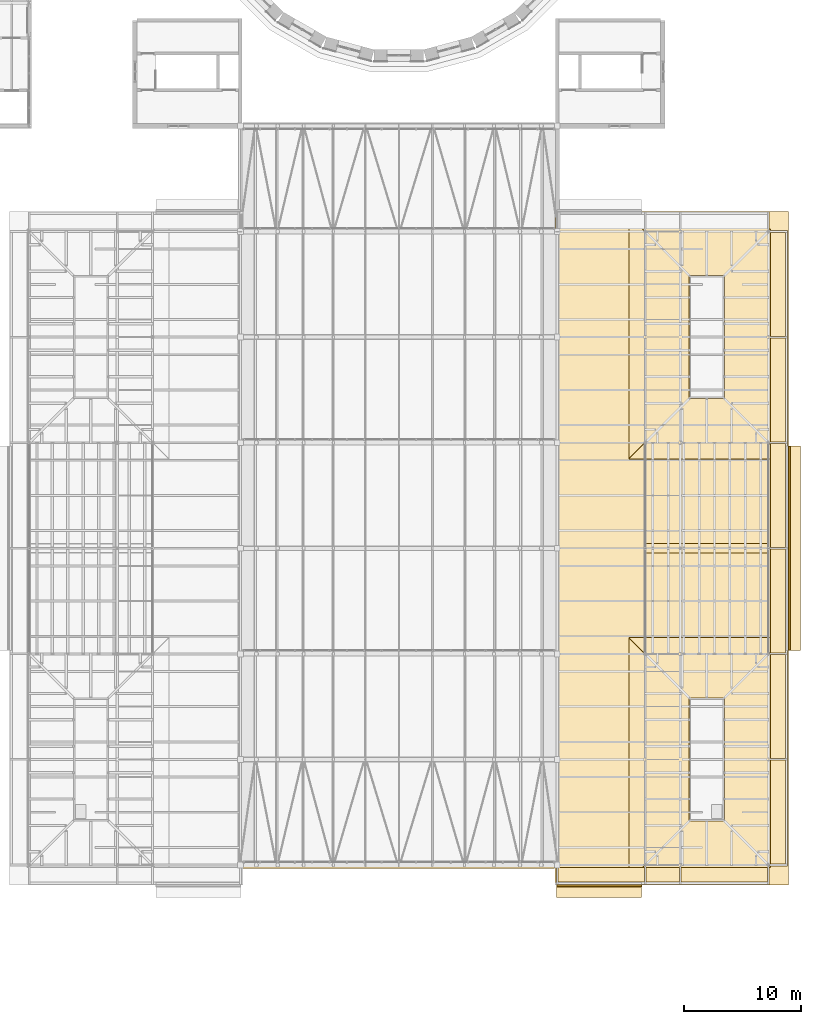
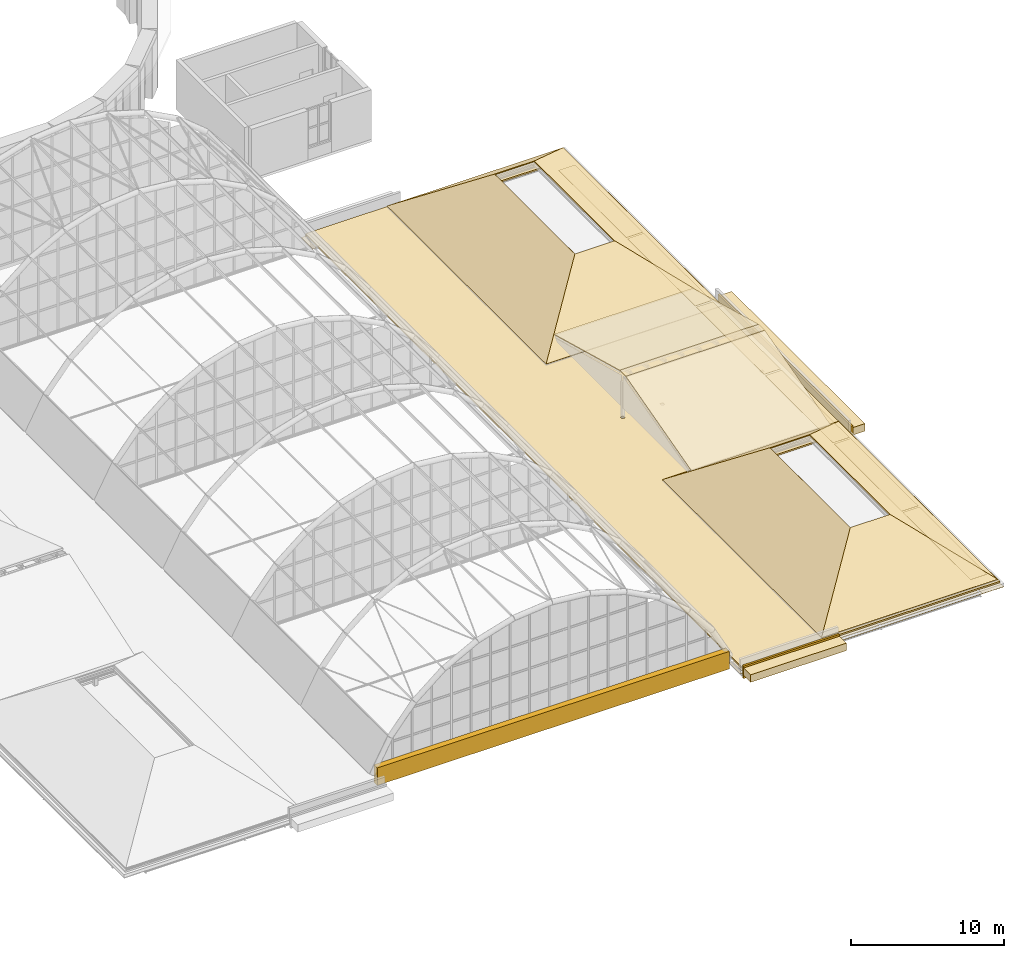
# One storey, part 117 of 121: 27 coverings.
"""IFC4 building model written with IfcOpenShell, lengths in metres."""

import ifcopenshell
import ifcopenshell.guid

model = None  # the IFC model being written
_history = None  # IfcOwnerHistory: only IFC2X3 demands one
_inside = {}  # id of a spatial element -> (the spatial element, [elements in it])
_under = {}  # id of a project, library or spatial element -> (it, [spatial elements below it])
_declared = {}  # id of a project -> (the project, [libraries it declares])
_typed = {}  # id of a type object -> (the type object, [elements of that type])
_made_of = {}  # id of a material, layer set ... -> (it, [elements and type objects made of it])


def new_model(schema):
    """Start an empty IFC model of exactly this schema.

    Asked for "IFC4X3", IfcOpenShell would pick the latest addendum, in which some entities
    have other attributes; the version numbers below select the first issue.
    IFC2X3 requires an IfcOwnerHistory on every rooted entity: one is made here for all.
    """
    global model, _history
    if schema == "IFC4X3":
        model = ifcopenshell.file(schema_version=(4, 3, 0, 0))
    else:
        model = ifcopenshell.file(schema=schema)
    _inside.clear()
    _under.clear()
    _declared.clear()
    _typed.clear()
    _made_of.clear()
    _history = None
    if model.schema == "IFC2X3":
        org = make("IfcOrganization", Name="unknown")
        user = make(
            "IfcPersonAndOrganization",
            ThePerson=make("IfcPerson", FamilyName="unknown"),
            TheOrganization=org,
        )
        app = make(
            "IfcApplication",
            ApplicationDeveloper=org,
            Version="unknown",
            ApplicationFullName="unknown",
            ApplicationIdentifier="unknown",
        )
        _history = make(
            "IfcOwnerHistory",
            OwningUser=user,
            OwningApplication=app,
            ChangeAction="ADDED",
            CreationDate=0,
        )
    return model


def make(cls, **values):
    """One entity of the class cls with the attributes given. An attribute that is None is left unset."""
    return model.create_entity(
        cls, **{name: value for name, value in values.items() if value is not None}
    )


def rooted(cls, **values):
    """An entity with a GlobalId (a new one), such as an element, a storey or a relation."""
    return make(cls, GlobalId=ifcopenshell.guid.new(), OwnerHistory=_history, **values)


def si_unit(unit_type, name, prefix=None):
    """IfcSIUnit, for example si_unit("LENGTHUNIT", "METRE", prefix="MILLI")."""
    return make("IfcSIUnit", UnitType=unit_type, Prefix=prefix, Name=name)


def assignment(units):
    """IfcUnitAssignment: the units of a project."""
    return None if units is None else make("IfcUnitAssignment", Units=units)


def point(xyz):
    """IfcCartesianPoint."""
    return None if xyz is None else make("IfcCartesianPoint", Coordinates=xyz)


def direction(xyz):
    """IfcDirection."""
    return None if xyz is None else make("IfcDirection", DirectionRatios=xyz)


def frame(location, z_axis=None, x_axis=None):
    """IfcAxis2Placement3D, a coordinate frame: its origin and axes. An axis left out is left unset."""
    return make(
        "IfcAxis2Placement3D",
        Location=point(location),
        Axis=direction(z_axis),
        RefDirection=direction(x_axis),
    )


def origin():
    """The frame at (0, 0, 0) with its axes left unset."""
    return frame((0.0, 0.0, 0.0))


def place(relative_to, where):
    """IfcLocalPlacement: puts the frame where relative to a parent placement (None: the world)."""
    return make(
        "IfcLocalPlacement", PlacementRelTo=relative_to, RelativePlacement=where
    )


def context(
    kind, dimensions, precision=None, world=None, true_north=None, identifier=None
):
    """IfcGeometricRepresentationContext, for example the 3D "Model" context."""
    return make(
        "IfcGeometricRepresentationContext",
        ContextIdentifier=identifier,
        ContextType=kind,
        CoordinateSpaceDimension=dimensions,
        Precision=precision,
        WorldCoordinateSystem=world,
        TrueNorth=true_north,
    )


def subcontext(parent, identifier, kind, view, scale=None):
    """IfcGeometricRepresentationSubContext, for example "Body" below "Model"."""
    return make(
        "IfcGeometricRepresentationSubContext",
        ContextIdentifier=identifier,
        ContextType=kind,
        ParentContext=parent,
        TargetScale=scale,
        TargetView=view,
    )


def project(units=None, contexts=None):
    """IfcProject with its units and contexts."""
    return rooted(
        "IfcProject",
        Name="project",
        RepresentationContexts=contexts,
        UnitsInContext=assignment(units),
    )


def spatial(cls, under=None, at=None, **own):
    """A site, building, storey or space (cls), placed at a placement, below another one or the project."""
    s = rooted(cls, ObjectPlacement=at, **own)
    if under is not None:
        _under.setdefault(under.id(), (under, []))[1].append(s)
    return s


def polyline(points):
    """IfcPolyline through the points."""
    return make("IfcPolyline", Points=[point(p) for p in points])


def outline(outer, holes=None, kind="AREA"):
    """IfcArbitraryClosedProfileDef: a profile drawn as a closed curve; with holes, ...WithVoids."""
    if holes is None:
        return make("IfcArbitraryClosedProfileDef", ProfileType=kind, OuterCurve=outer)
    return make(
        "IfcArbitraryProfileDefWithVoids",
        ProfileType=kind,
        OuterCurve=outer,
        InnerCurves=holes,
    )


def extrude(swept, where, along, depth):
    """IfcExtrudedAreaSolid: the profile swept, set in the frame where, extruded along a direction by depth."""
    return make(
        "IfcExtrudedAreaSolid",
        SweptArea=swept,
        Position=where,
        ExtrudedDirection=direction(along),
        Depth=depth,
    )


def shape(context_of_items, identifier, shape_type, items):
    """IfcShapeRepresentation: the items that make up one representation, for example the "Body"."""
    return make(
        "IfcShapeRepresentation",
        ContextOfItems=context_of_items,
        RepresentationIdentifier=identifier,
        RepresentationType=shape_type,
        Items=items,
    )


def material(Name=None, Category=None):
    """IfcMaterial."""
    return make("IfcMaterial", Name=Name, Category=Category)


def layer(
    of_material, thickness, ventilated=None, Name=None, Category=None, Priority=None
):
    """IfcMaterialLayer: one layer of a wall or slab, of a material (None: an air gap)."""
    return make(
        "IfcMaterialLayer",
        Material=of_material,
        LayerThickness=thickness,
        IsVentilated=ventilated,
        Name=Name,
        Category=Category,
        Priority=Priority,
    )


def layer_set(layers, Name=None):
    """IfcMaterialLayerSet."""
    return make("IfcMaterialLayerSet", MaterialLayers=layers, LayerSetName=Name)


def made_of(thing, what):
    """Note that an element or type object is made of a material, layer set ...; save() writes the relation."""
    if what is not None:
        _made_of.setdefault(what.id(), (what, []))[1].append(thing)
    return thing


def type_object(cls, material=None, **own):
    """A type object (cls), such as IfcWallType, which elements share."""
    return made_of(rooted(cls, **own), material)


def element(
    cls,
    number,
    at=None,
    inside=None,
    cuts=None,
    type_object=None,
    material=None,
    context=None,
    identifier="Body",
    shape_type=None,
    held_by="IfcProductDefinitionShape",
    body=None,
    shapes=None,
    **own,
):
    """One element of the class cls, such as IfcWall. Its Tag is "e" and its number.

    at: its placement. inside: the storey or other place that contains it. cuts: it is an
    opening in that element (IfcRelVoidsElement). A single representation is given by context,
    identifier, shape_type and body (its items); several are given by shapes. held_by: the class
    of the entity that holds the representations. save() writes the other relations.
    """
    e = rooted(cls, Tag="e%d" % number, ObjectPlacement=at, **own)
    if body is not None:
        shapes = [shape(context, identifier, shape_type, body)]
    if shapes is not None:
        e.Representation = make(held_by, Representations=shapes)
    if inside is not None:
        _inside.setdefault(inside.id(), (inside, []))[1].append(e)
    if cuts is not None:
        rooted(
            "IfcRelVoidsElement", RelatingBuildingElement=cuts, RelatedOpeningElement=e
        )
    if type_object is not None:
        _typed.setdefault(type_object.id(), (type_object, []))[1].append(e)
    return made_of(e, material)


def aggregate(whole, parts):
    """IfcRelAggregates: a whole, such as a stair, and the parts it consists of."""
    return rooted("IfcRelAggregates", RelatingObject=whole, RelatedObjects=parts)


def save(model, path):
    """Write the relations noted so far, then the file.

    IfcRelAggregates (storeys below a building ...), IfcRelContainedInSpatialStructure (elements
    in a storey), IfcRelDefinesByType, IfcRelAssociatesMaterial and IfcRelDeclares: one each for
    every whole, place, type object, material and project.
    """
    for whole, parts in _under.values():
        aggregate(whole, parts)
    for where, things in _inside.values():
        rooted(
            "IfcRelContainedInSpatialStructure",
            RelatedElements=things,
            RelatingStructure=where,
        )
    for kind, things in _typed.values():
        rooted("IfcRelDefinesByType", RelatedObjects=things, RelatingType=kind)
    for what, things in _made_of.values():
        rooted("IfcRelAssociatesMaterial", RelatedObjects=things, RelatingMaterial=what)
    for by, libraries in _declared.values():
        rooted("IfcRelDeclares", RelatingContext=by, RelatedDefinitions=libraries)
    model.write(path)


model = new_model("IFC4")

# Units and contexts
model_context = context("Model", 3, precision=1e-05, world=origin(), true_north=direction((0.0, 1.0)))
body_context = subcontext(model_context, "Body", "Model", "MODEL_VIEW")
ifc_project = project(units=[si_unit("LENGTHUNIT", "METRE"), si_unit("AREAUNIT", "SQUARE_METRE"), si_unit("VOLUMEUNIT", "CUBIC_METRE"), si_unit("PLANEANGLEUNIT", "RADIAN"), si_unit("MASSUNIT", "GRAM", prefix="KILO")], contexts=[model_context])

# Site, building, storey
site_placement = place(None, origin())
site = spatial("IfcSite", under=ifc_project, at=site_placement, CompositionType="ELEMENT")
building_placement = place(site_placement, origin())
building = spatial("IfcBuilding", under=site, at=building_placement, Name="Golden Quay Civic Hall", CompositionType="ELEMENT")
storey_placement = place(building_placement, frame((0.0, 0.0, 18.60009765625)))
storey = spatial("IfcBuildingStorey", under=building, at=storey_placement, Name="L04", CompositionType="ELEMENT", Elevation=18.60009765625)

# Coverings
ifc_material_1 = material(Name="Aluminium, anodised", Category="aluminium")
ifc_layer_1 = layer(ifc_material_1, 0.02490234375)
ifc_layer_set_1 = layer_set([ifc_layer_1], Name="Aluminium soffit lining 25")
covering_type_1 = type_object("IfcCoveringType", Name="Aluminium soffit lining 25", PredefinedType="CEILING", material=ifc_layer_set_1)
covering_1_placement = place(storey_placement, frame((0.0, 0.0, -0.275146484375)))
element("IfcCovering", 1, at=covering_1_placement, inside=storey, type_object=covering_type_1, Name="Aluminium soffit lining 25 L04 14", PredefinedType="CEILING", context=body_context, shape_type="SweptSolid", body=[
    extrude(outline(polyline([(117.0673828125, 54.199951171875), (117.0673828125, 55.64990234375), (116.9326171875, 55.64990234375), (109.5673828125, 55.64990234375), (109.4326171875, 55.64990234375), (106.5673828125, 55.64990234375), (106.4326171875, 55.64990234375), (99.217529296875, 55.64990234375), (99.08251953125, 55.64990234375), (99.08251953125, 54.199951171875), (98.800048828125, 54.199951171875), (98.800048828125, 55.699951171875), (117.199951171875, 55.699951171875), (118.699951171875, 55.699951171875), (118.699951171875, 54.199951171875), (118.699951171875, -0.199951171875), (118.699951171875, -1.699951171875), (117.199951171875, -1.699951171875), (98.800048828125, -1.699951171875), (98.800048828125, -0.199951171875), (98.9326171875, -0.199951171875), (98.9326171875, -1.64990234375), (99.0673828125, -1.64990234375), (106.4326171875, -1.64990234375), (106.5673828125, -1.64990234375), (109.4326171875, -1.64990234375), (109.5673828125, -1.64990234375), (116.9326171875, -1.64990234375), (117.0673828125, -1.64990234375), (117.0673828125, -0.199951171875), (117.199951171875, -0.199951171875), (117.199951171875, -0.0673828125), (118.64990234375, -0.0673828125), (118.64990234375, 0.0673828125), (118.64990234375, 8.9326171875), (118.64990234375, 9.0673828125), (118.64990234375, 17.9326171875), (118.64990234375, 18.0673828125), (118.64990234375, 26.9326171875), (118.64990234375, 27.0673828125), (118.64990234375, 35.9326171875), (118.64990234375, 36.0673828125), (118.64990234375, 44.9326171875), (118.64990234375, 45.0673828125), (118.64990234375, 53.9326171875), (118.64990234375, 54.0673828125), (117.199951171875, 54.0673828125), (117.199951171875, 54.199951171875), (117.0673828125, 54.199951171875)])), origin(), (0.0, 0.0, 1.0), 0.025146484375),
])
covering_2_placement = place(storey_placement, frame((0.0, 0.0, -0.275146484375)))
element("IfcCovering", 2, at=covering_2_placement, inside=storey, type_object=covering_type_1, Name="Aluminium soffit lining 25 L04 18", PredefinedType="CEILING", context=body_context, shape_type="SweptSolid", body=[
    extrude(outline(polyline([(106.4326171875, -0.199951171875), (106.4326171875, -1.449951171875), (99.0673828125, -1.449951171875), (99.0673828125, -0.199951171875), (106.4326171875, -0.199951171875)])), origin(), (0.0, 0.0, 1.0), 0.025146484375),
])
covering_3_placement = place(storey_placement, frame((0.0, 0.0, -0.275146484375)))
element("IfcCovering", 3, at=covering_3_placement, inside=storey, type_object=covering_type_1, Name="Aluminium soffit lining 25 L04 19", PredefinedType="CEILING", context=body_context, shape_type="SweptSolid", body=[
    extrude(outline(polyline([(109.4326171875, -0.199951171875), (109.4326171875, -1.449951171875), (106.5673828125, -1.449951171875), (106.5673828125, -0.199951171875), (109.4326171875, -0.199951171875)])), origin(), (0.0, 0.0, 1.0), 0.025146484375),
])
covering_4_placement = place(storey_placement, frame((0.0, 0.0, -0.275146484375)))
element("IfcCovering", 4, at=covering_4_placement, inside=storey, type_object=covering_type_1, Name="Aluminium soffit lining 25 L04 20", PredefinedType="CEILING", context=body_context, shape_type="SweptSolid", body=[
    extrude(outline(polyline([(116.9326171875, -0.199951171875), (116.9326171875, -1.449951171875), (109.5673828125, -1.449951171875), (109.5673828125, -0.199951171875), (116.9326171875, -0.199951171875)])), origin(), (0.0, 0.0, 1.0), 0.025146484375),
])
covering_5_placement = place(storey_placement, frame((0.0, 0.0, -0.275146484375)))
element("IfcCovering", 5, at=covering_5_placement, inside=storey, type_object=covering_type_1, Name="Aluminium soffit lining 25 L04 21", PredefinedType="CEILING", context=body_context, shape_type="SweptSolid", body=[
    extrude(outline(polyline([(117.199951171875, 8.9326171875), (118.449951171875, 8.9326171875), (118.449951171875, 0.0673828125), (117.199951171875, 0.0673828125), (117.199951171875, 8.9326171875)])), origin(), (0.0, 0.0, 1.0), 0.025146484375),
])
covering_6_placement = place(storey_placement, frame((0.0, 0.0, -0.275146484375)))
element("IfcCovering", 6, at=covering_6_placement, inside=storey, type_object=covering_type_1, Name="Aluminium soffit lining 25 L04 22", PredefinedType="CEILING", context=body_context, shape_type="SweptSolid", body=[
    extrude(outline(polyline([(117.199951171875, 17.9326171875), (118.449951171875, 17.9326171875), (118.449951171875, 9.0673828125), (117.199951171875, 9.0673828125), (117.199951171875, 17.9326171875)])), origin(), (0.0, 0.0, 1.0), 0.025146484375),
])
covering_7_placement = place(storey_placement, frame((0.0, 0.0, -0.275146484375)))
element("IfcCovering", 7, at=covering_7_placement, inside=storey, type_object=covering_type_1, Name="Aluminium soffit lining 25 L04 23", PredefinedType="CEILING", context=body_context, shape_type="SweptSolid", body=[
    extrude(outline(polyline([(117.199951171875, 26.9326171875), (118.449951171875, 26.9326171875), (118.449951171875, 18.0673828125), (117.199951171875, 18.0673828125), (117.199951171875, 26.9326171875)])), origin(), (0.0, 0.0, 1.0), 0.025146484375),
])
covering_8_placement = place(storey_placement, frame((0.0, 0.0, -0.275146484375)))
element("IfcCovering", 8, at=covering_8_placement, inside=storey, type_object=covering_type_1, Name="Aluminium soffit lining 25 L04 24", PredefinedType="CEILING", context=body_context, shape_type="SweptSolid", body=[
    extrude(outline(polyline([(117.199951171875, 35.9326171875), (118.449951171875, 35.9326171875), (118.449951171875, 27.0673828125), (117.199951171875, 27.0673828125), (117.199951171875, 35.9326171875)])), origin(), (0.0, 0.0, 1.0), 0.025146484375),
])
covering_9_placement = place(storey_placement, frame((0.0, 0.0, -0.275146484375)))
element("IfcCovering", 9, at=covering_9_placement, inside=storey, type_object=covering_type_1, Name="Aluminium soffit lining 25 L04 25", PredefinedType="CEILING", context=body_context, shape_type="SweptSolid", body=[
    extrude(outline(polyline([(117.199951171875, 44.9326171875), (118.449951171875, 44.9326171875), (118.449951171875, 36.0673828125), (117.199951171875, 36.0673828125), (117.199951171875, 44.9326171875)])), origin(), (0.0, 0.0, 1.0), 0.025146484375),
])
covering_10_placement = place(storey_placement, frame((0.0, 0.0, -0.275146484375)))
element("IfcCovering", 10, at=covering_10_placement, inside=storey, type_object=covering_type_1, Name="Aluminium soffit lining 25 L04 26", PredefinedType="CEILING", context=body_context, shape_type="SweptSolid", body=[
    extrude(outline(polyline([(117.199951171875, 53.9326171875), (118.449951171875, 53.9326171875), (118.449951171875, 45.0673828125), (117.199951171875, 45.0673828125), (117.199951171875, 53.9326171875)])), origin(), (0.0, 0.0, 1.0), 0.025146484375),
])
ifc_material_2 = material(Name="Clay roof tile")
ifc_layer_2 = layer(ifc_material_2, 0.06005859375)
ifc_layer_set_2 = layer_set([ifc_layer_2], Name="Clay roof tile 60")
covering_type_2 = type_object("IfcCoveringType", Name="Clay roof tile 60", PredefinedType="ROOFING", material=ifc_layer_set_2)
covering_11_placement = place(storey_placement, frame((105.10009765625, -1.39990234375, 0.25), z_axis=(0.0, -0.59998786364, 0.800009102126), x_axis=(1.0, 0.0, 0.0)))
element("IfcCovering", 11, at=covering_11_placement, inside=storey, type_object=covering_type_2, Name="Roof tiles EM-S south", PredefinedType="ROOFING", context=body_context, shape_type="SweptSolid", body=[
    extrude(outline(polyline([(0.0, 0.0), (13.2998046875, 0.0), (8.14990234375, 6.43730468824074), (5.14990234375, 6.43730468824074), (0.0, 0.0)])), origin(), (0.0, 0.0, -1.0), 0.06005859375),
])
covering_12_placement = place(storey_placement, frame((105.10009765625, 19.39990234375, 0.25), z_axis=(0.0, 0.59998786364, 0.800009102126), x_axis=(1.0, 0.0, 0.0)))
element("IfcCovering", 12, at=covering_12_placement, inside=storey, type_object=covering_type_2, Name="Roof tiles EM-S north", PredefinedType="ROOFING", context=body_context, shape_type="SweptSolid", body=[
    extrude(outline(polyline([(0.0, 0.0), (13.2998046875, 0.0), (8.14990234375, -6.43730468824074), (5.14990234375, -6.43730468824074), (0.0, 0.0)])), origin(), (0.0, 0.0, -1.0), 0.06005859375),
])
covering_13_placement = place(storey_placement, frame((105.10009765625, -1.39990234375, 0.25), z_axis=(-0.59998786364, 0.0, 0.800009102126), x_axis=(0.0, 1.0, 0.0)))
element("IfcCovering", 13, at=covering_13_placement, inside=storey, type_object=covering_type_2, Name="Roof tiles EM-S west", PredefinedType="ROOFING", context=body_context, shape_type="SweptSolid", body=[
    extrude(outline(polyline([(0.0, 0.0), (20.7998046875, 0.0), (15.64990234375, -6.43730468824074), (5.14990234375, -6.43730468824074), (0.0, 0.0)])), origin(), (0.0, 0.0, -1.0), 0.06005859375),
])
covering_14_placement = place(storey_placement, frame((118.39990234375, -1.39990234375, 0.25), z_axis=(0.59998786364, 0.0, 0.800009102126), x_axis=(0.0, 1.0, 0.0)))
element("IfcCovering", 14, at=covering_14_placement, inside=storey, type_object=covering_type_2, Name="Roof tiles EM-S east", PredefinedType="ROOFING", context=body_context, shape_type="SweptSolid", body=[
    extrude(outline(polyline([(0.0, 0.0), (20.7998046875, 0.0), (15.64990234375, 6.43730468824074), (5.14990234375, 6.43730468824074), (0.0, 0.0)])), origin(), (0.0, 0.0, -1.0), 0.06005859375),
])
covering_15_placement = place(storey_placement, frame((105.10009765625, 34.60009765625, 0.25), z_axis=(0.0, -0.59998786364, 0.800009102126), x_axis=(1.0, 0.0, 0.0)))
element("IfcCovering", 15, at=covering_15_placement, inside=storey, type_object=covering_type_2, Name="Roof tiles EM-N south", PredefinedType="ROOFING", context=body_context, shape_type="SweptSolid", body=[
    extrude(outline(polyline([(0.0, 0.0), (13.2998046875, 0.0), (8.14990234375, 6.43730468824074), (5.14990234375, 6.43730468824074), (0.0, 0.0)])), origin(), (0.0, 0.0, -1.0), 0.06005859375),
])
covering_16_placement = place(storey_placement, frame((105.10009765625, 55.39990234375, 0.25), z_axis=(0.0, 0.59998786364, 0.800009102126), x_axis=(1.0, 0.0, 0.0)))
element("IfcCovering", 16, at=covering_16_placement, inside=storey, type_object=covering_type_2, Name="Roof tiles EM-N north", PredefinedType="ROOFING", context=body_context, shape_type="SweptSolid", body=[
    extrude(outline(polyline([(0.0, 0.0), (13.2998046875, 0.0), (8.14990234375, -6.43730468824074), (5.14990234375, -6.43730468824074), (0.0, 0.0)])), origin(), (0.0, 0.0, -1.0), 0.06005859375),
])
covering_17_placement = place(storey_placement, frame((105.10009765625, 34.60009765625, 0.25), z_axis=(-0.59998786364, 0.0, 0.800009102126), x_axis=(0.0, 1.0, 0.0)))
element("IfcCovering", 17, at=covering_17_placement, inside=storey, type_object=covering_type_2, Name="Roof tiles EM-N west", PredefinedType="ROOFING", context=body_context, shape_type="SweptSolid", body=[
    extrude(outline(polyline([(0.0, 0.0), (20.7998046875, 0.0), (15.64990234375, -6.43730468824074), (5.14990234375, -6.43730468824074), (0.0, 0.0)])), origin(), (0.0, 0.0, -1.0), 0.06005859375),
])
covering_18_placement = place(storey_placement, frame((118.39990234375, 34.60009765625, 0.25), z_axis=(0.59998786364, 0.0, 0.800009102126), x_axis=(0.0, 1.0, 0.0)))
element("IfcCovering", 18, at=covering_18_placement, inside=storey, type_object=covering_type_2, Name="Roof tiles EM-N east", PredefinedType="ROOFING", context=body_context, shape_type="SweptSolid", body=[
    extrude(outline(polyline([(0.0, 0.0), (20.7998046875, 0.0), (15.64990234375, 6.43730468824074), (5.14990234375, 6.43730468824074), (0.0, 0.0)])), origin(), (0.0, 0.0, -1.0), 0.06005859375),
])
for number, where, z_axis, x_axis, name in (
    (19, (106.5, 18.0, 1.302001953125), (0.0, -0.262171514748, 0.965021293472), (1.0, 0.0, 0.0), "Roof tiles gable south"),
    (20, (106.5, 27.39990234375, 3.638427734375), (0.0, 0.262171514748, 0.965021293472), (1.0, 0.0, 0.0), "Roof tiles gable north"),
):
    element("IfcCovering", number, at=place(storey_placement, frame(where, z_axis=z_axis, x_axis=x_axis)), inside=storey, type_object=covering_type_2, Name=name, PredefinedType="ROOFING", context=body_context, shape_type="SweptSolid", body=[
        extrude(outline(polyline([(0.0, 0.0), (10.5, 0.0), (10.5, 8.91182165038812), (0.0, 8.91182165038812), (0.0, 0.0)])), origin(), (0.0, 0.0, -1.0), 0.06005859375),
    ])
covering_19_placement = place(storey_placement, frame((0.0, 0.0, 3.57861328125)))
element("IfcCovering", 21, at=covering_19_placement, inside=storey, type_object=covering_type_2, Name="Roof tiles gable ridge", PredefinedType="ROOFING", context=body_context, shape_type="SweptSolid", body=[
    extrude(outline(polyline([(106.5, 26.60009765625), (117.0, 26.60009765625), (117.0, 27.39990234375), (106.5, 27.39990234375), (106.5, 26.60009765625)])), origin(), (0.0, 0.0, 1.0), 0.059814453125),
])
ifc_material_3 = material(Name="Bitumen membrane on rigid insulation")
ifc_layer_3 = layer(ifc_material_3, 0.1201171875)
ifc_layer_set_3 = layer_set([ifc_layer_3], Name="Insulated membrane roofing 120")
covering_type_3 = type_object("IfcCoveringType", Name="Insulated membrane roofing 120", PredefinedType="ROOFING", material=ifc_layer_set_3)
covering_20_placement = place(storey_placement, origin())
element("IfcCovering", 22, at=covering_20_placement, inside=storey, type_object=covering_type_3, Name="Insulated membrane roofing 120 L04 2", PredefinedType="ROOFING", context=body_context, shape_type="SweptSolid", body=[
    extrude(outline(polyline([(118.5, 55.5), (118.5, -1.5), (99.0, -1.5), (99.0, 55.5), (118.5, 55.5)]), holes=[polyline([(117.300048828125, -0.300048828125), (117.300048828125, 18.300048828125), (106.199951171875, 18.300048828125), (106.199951171875, -0.300048828125), (117.300048828125, -0.300048828125)]), polyline([(117.300048828125, 35.699951171875), (117.300048828125, 54.300048828125), (106.199951171875, 54.300048828125), (106.199951171875, 35.699951171875), (117.300048828125, 35.699951171875)]), polyline([(106.385009765625, 26.885009765625), (106.614990234375, 26.885009765625), (106.614990234375, 27.114990234375), (106.385009765625, 27.114990234375), (106.385009765625, 26.885009765625)]), polyline([(109.385009765625, 27.114990234375), (109.385009765625, 26.885009765625), (109.614990234375, 26.885009765625), (109.614990234375, 27.114990234375), (109.385009765625, 27.114990234375)]), polyline([(117.114990234375, 27.114990234375), (116.885009765625, 27.114990234375), (116.885009765625, 26.885009765625), (117.114990234375, 26.885009765625), (117.114990234375, 27.114990234375)])]), origin(), (0.0, 0.0, 1.0), 0.119873046875),
])
ifc_material_4 = material(Name="Terracotta cladding, golden glaze", Category="masonry")
covering_type_4 = type_object("IfcCoveringType", Name="Terracotta cornice moulding 900 x 600", PredefinedType="MOLDING", material=ifc_material_4)
covering_21_placement = place(storey_placement, frame((0.0, 0.0, -0.35009765625)))
element("IfcCovering", 23, at=covering_21_placement, inside=storey, type_object=covering_type_4, Name="Terracotta cornice moulding 900 x 600 L04 4", PredefinedType="MOLDING", context=body_context, shape_type="SweptSolid", body=[
    extrude(outline(polyline([(98.9599609375, -2.75), (98.9599609375, -1.85009765625), (106.199951171875, -1.85009765625), (106.199951171875, -2.75), (98.9599609375, -2.75)])), origin(), (0.0, 0.0, 1.0), 0.60009765625),
])
covering_22_placement = place(storey_placement, frame((0.0, 0.0, -0.35009765625)))
element("IfcCovering", 24, at=covering_22_placement, inside=storey, type_object=covering_type_4, Name="Terracotta cornice moulding 900 x 600 L04 5", PredefinedType="MOLDING", context=body_context, shape_type="SweptSolid", body=[
    extrude(outline(polyline([(118.85009765625, 35.699951171875), (119.75, 35.699951171875), (119.75, 18.300048828125), (118.85009765625, 18.300048828125), (118.85009765625, 35.699951171875)])), origin(), (0.0, 0.0, 1.0), 0.60009765625),
])
ifc_material_5 = material(Name="Terracotta cladding, golden glaze", Category="masonry")
covering_type_5 = type_object("IfcCoveringType", Name="Terracotta eave fascia 150 x 1000", PredefinedType="CLADDING", material=ifc_material_5)
covering_23_placement = place(storey_placement, frame((0.0, 0.0, -0.60009765625)))
element("IfcCovering", 25, at=covering_23_placement, inside=storey, type_object=covering_type_5, Name="Terracotta eave fascia 150 x 1000 L04 4", PredefinedType="CLADDING", context=body_context, shape_type="SweptSolid", body=[
    extrude(outline(polyline([(98.9599609375, -1.85009765625), (98.9599609375, -1.699951171875), (106.199951171875, -1.699951171875), (106.199951171875, -1.85009765625), (98.9599609375, -1.85009765625)])), origin(), (0.0, 0.0, 1.0), 1.0),
])
covering_24_placement = place(storey_placement, frame((0.0, 0.0, -0.60009765625)))
element("IfcCovering", 26, at=covering_24_placement, inside=storey, type_object=covering_type_5, Name="Terracotta eave fascia 150 x 1000 L04 5", PredefinedType="CLADDING", context=body_context, shape_type="SweptSolid", body=[
    extrude(outline(polyline([(118.699951171875, 35.699951171875), (118.85009765625, 35.699951171875), (118.85009765625, 18.300048828125), (118.699951171875, 18.300048828125), (118.699951171875, 35.699951171875)])), origin(), (0.0, 0.0, 1.0), 1.0),
])
ifc_material_6 = material(Name="Terracotta cladding, golden glaze", Category="masonry")
covering_type_6 = type_object("IfcCoveringType", Name="Terracotta hall screen fascia 450 x 1400", PredefinedType="CLADDING", material=ifc_material_6)
covering_25_placement = place(storey_placement, frame((0.0, 0.0, -0.7001953125)))
element("IfcCovering", 27, at=covering_25_placement, inside=storey, type_object=covering_type_6, Name="Hall screen fascia south L04", PredefinedType="CLADDING", context=body_context, shape_type="SweptSolid", body=[
    extrude(outline(polyline([(72.219970703125, -0.300048828125), (98.780029296875, -0.300048828125), (98.780029296875, 0.14990234375), (72.219970703125, 0.14990234375), (72.219970703125, -0.300048828125)])), origin(), (0.0, 0.0, 1.0), 1.400146484375),
])

save(model, "model.ifc")
